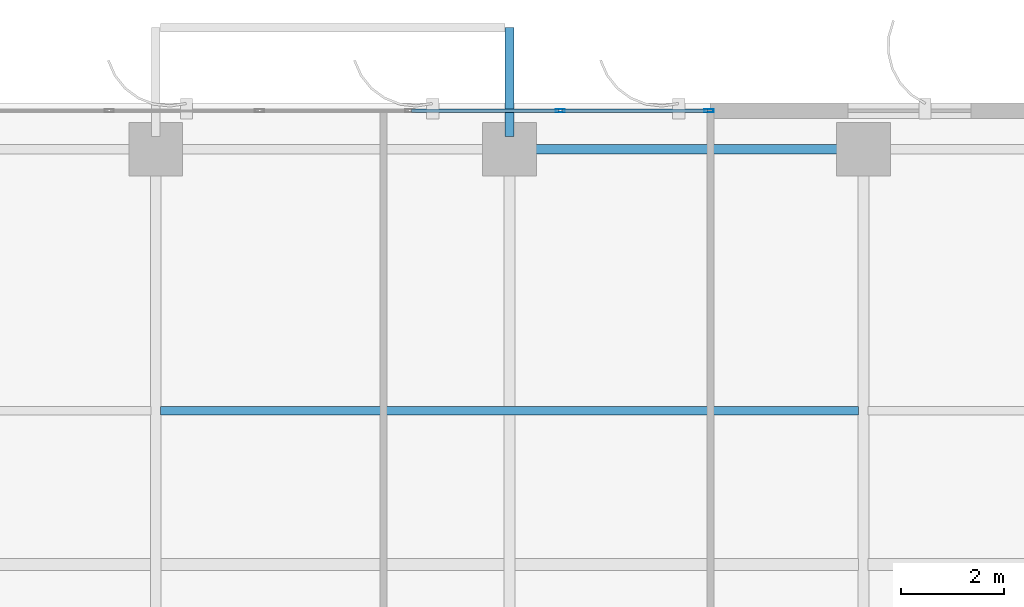
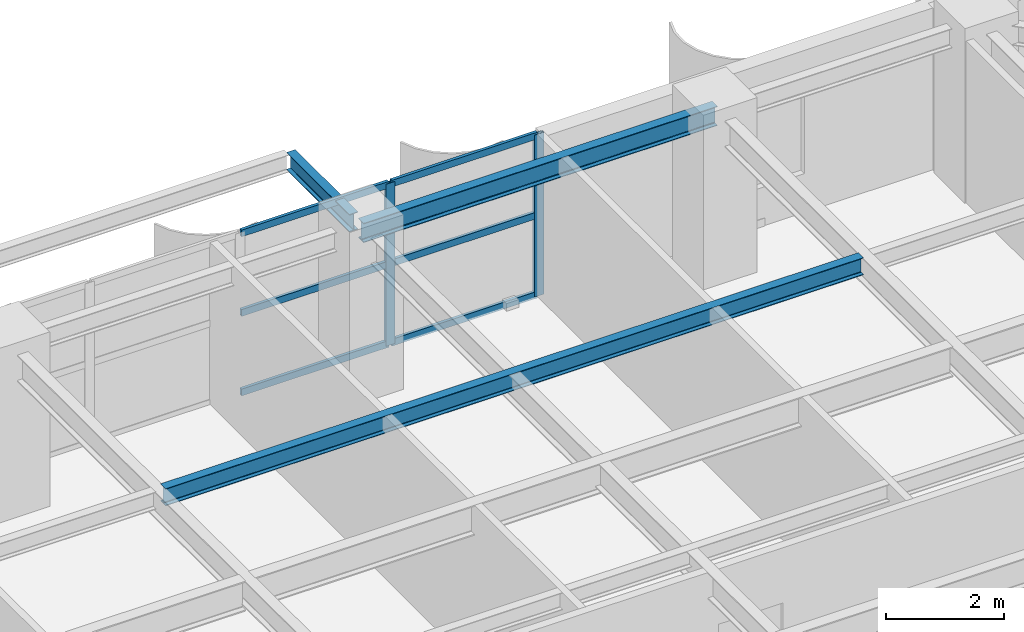
# One storey, part 16 of 27: 8 members, 3 beams, 1 element without a shape of its own.
"""IFC4 building model written with IfcOpenShell, lengths in metres."""

from ifc_helpers import new_model, si_unit, direction, frame, origin, origin_2d, place, context, subcontext, project, spatial, hollow_rectangle, i_section, extrude, source, transform, mapped, material, layer, layer_set, material_profile, profile_set, type_object, element, aggregate, save


model = new_model("IFC4")

# Units and contexts
model_context = context("Model", 3, precision=1e-05, world=origin(), true_north=direction((0.0, 1.0)))
body_context = subcontext(model_context, "Body", "Model", "MODEL_VIEW")
ifc_project = project(units=[si_unit("LENGTHUNIT", "METRE"), si_unit("AREAUNIT", "SQUARE_METRE"), si_unit("VOLUMEUNIT", "CUBIC_METRE"), si_unit("PLANEANGLEUNIT", "RADIAN"), si_unit("MASSUNIT", "GRAM", prefix="KILO")], contexts=[model_context])

# Site, building, storey
site_placement = place(None, origin())
site = spatial("IfcSite", under=ifc_project, at=site_placement, CompositionType="ELEMENT")
building_placement = place(site_placement, origin())
building = spatial("IfcBuilding", under=site, at=building_placement, Name="Khoralis Quay Care Tower", CompositionType="ELEMENT")
storey_placement = place(building_placement, frame((0.0, 0.0, 105.300048828125)))
storey = spatial("IfcBuildingStorey", under=building, at=storey_placement, Name="L27", CompositionType="ELEMENT", Elevation=105.300048828125)

# Beams
ifc_material_1 = material(Name="Steel S355", Category="steel")
ifc_material_profile_1 = material_profile(ifc_material_1, i_section(OverallWidth=0.179931640625, OverallDepth=0.39990234375, WebThickness=0.008544921875, FlangeThickness=0.013427734375, FilletRadius=0.02099609375, at=origin_2d()), Name="Steel S355")
ifc_profile_set_1 = profile_set([ifc_material_profile_1], Name="Steel S355")
beam_type_1 = type_object("IfcBeamType", Name="BM-IPE400", PredefinedType="SPANDREL", material=ifc_profile_set_1)
shared_shape_1 = source(origin(), body_context, "Body", "SweptSolid", [
    extrude(i_section(OverallWidth=0.179931640625, OverallDepth=0.39990234375, WebThickness=0.008544921875, FlangeThickness=0.013427734375, FilletRadius=0.02099609375, at=origin_2d()), origin(), (0.0, 0.0, 1.0), 6.89990234375),
])
beam_1_placement = place(storey_placement, frame((24.0, 44.10009765625, 3.139892578125), z_axis=(1.0, 0.0, 0.0), x_axis=(0.0, 1.0, 0.0)))
element("IfcBeam", 1, at=beam_1_placement, inside=storey, type_object=beam_type_1, Name="BM-TSP-L27-09", PredefinedType="SPANDREL", context=body_context, shape_type="MappedRepresentation", body=[
    mapped(shared_shape_1, transform((0.0, 0.0, 0.0), scale=1.0)),
])
ifc_material_profile_2 = material_profile(ifc_material_1, i_section(OverallWidth=0.1708984375, OverallDepth=0.35498046875, WebThickness=0.007080078125, FlangeThickness=0.01171875, FilletRadius=0.012939453125, at=origin_2d()), Name="Steel S355")
ifc_profile_set_2 = profile_set([ifc_material_profile_2], Name="Steel S355")
beam_type_2 = type_object("IfcBeamType", Name="BM-W360X51", PredefinedType="JOIST", material=ifc_profile_set_2)
shared_shape_2 = source(origin(), body_context, "Body", "SweptSolid", [
    extrude(i_section(OverallWidth=0.1708984375, OverallDepth=0.35498046875, WebThickness=0.007080078125, FlangeThickness=0.01171875, FilletRadius=0.012939453125, at=origin_2d()), origin(), (0.0, 0.0, 1.0), 13.61181640625),
])
beam_2_placement = place(storey_placement, frame((17.194091796875, 39.0, 3.162353515625), z_axis=(1.0, 0.0, 0.0), x_axis=(0.0, 1.0, 0.0)))
element("IfcBeam", 2, at=beam_2_placement, inside=storey, type_object=beam_type_2, Name="BM-TJS-L27-33", PredefinedType="JOIST", context=body_context, shape_type="MappedRepresentation", body=[
    mapped(shared_shape_2, transform((0.0, 0.0, 0.0), scale=1.0)),
])
ifc_material_profile_3 = material_profile(ifc_material_1, i_section(OverallWidth=0.169921875, OverallDepth=0.360107421875, WebThickness=0.008056640625, FlangeThickness=0.0126953125, FilletRadius=0.01806640625, at=origin_2d()), Name="Steel S355")
ifc_profile_set_3 = profile_set([ifc_material_profile_3], Name="Steel S355")
beam_type_3 = type_object("IfcBeamType", Name="BM-IPE360", PredefinedType="SPANDREL", material=ifc_profile_set_3)
shared_shape_3 = source(origin(), body_context, "Body", "SweptSolid", [
    extrude(i_section(OverallWidth=0.169921875, OverallDepth=0.360107421875, WebThickness=0.008056640625, FlangeThickness=0.0126953125, FilletRadius=0.01806640625, at=origin_2d()), origin(), (0.0, 0.0, 1.0), 2.119873046875),
])
beam_3_placement = place(storey_placement, frame((24.0, 44.35009765625, 3.1640625), z_axis=(0.0, 1.0, 0.0), x_axis=(-1.0, 0.0, 0.0)))
element("IfcBeam", 3, at=beam_3_placement, inside=storey, type_object=beam_type_3, Name="L28 Balcony Cantilever Outrigger Beam 2", PredefinedType="SPANDREL", context=body_context, shape_type="MappedRepresentation", body=[
    mapped(shared_shape_3, transform((0.0, 0.0, 0.0), scale=1.0)),
])

# Curtain wall, members
ifc_material_2 = material(Name="Pale anodised aluminium", Category="aluminium")
ifc_layer = layer(ifc_material_2, 0.169921875)
ifc_layer_set = layer_set([ifc_layer], Name="Pale anodised aluminium")
curtain_wall_type = type_object("IfcCurtainWallType", Name="CW-SYS-Z2", PredefinedType="NOTDEFINED", material=ifc_layer_set)
curtain_wall_placement = place(storey_placement, origin())
curtain_wall = element("IfcCurtainWall", 4, at=curtain_wall_placement, inside=storey, type_object=curtain_wall_type, Name="L27 Unitised Curtain Wall CW-L27-P1-E10", PredefinedType="NOTDEFINED")
ifc_material_profile_4 = material_profile(ifc_material_2, hollow_rectangle(XDim=0.06494140625, YDim=0.179931640625, WallThickness=0.00390625, at=origin_2d()), Name="Pale anodised aluminium")
ifc_profile_set_4 = profile_set([ifc_material_profile_4], Name="Pale anodised aluminium")
member_type_1 = type_object("IfcMemberType", Name="CW-MUL-180", PredefinedType="MULLION", material=ifc_profile_set_4)
shared_shape_4 = source(origin(), body_context, "Body", "SweptSolid", [
    extrude(hollow_rectangle(XDim=0.06494140625, YDim=0.179931640625, WallThickness=0.00390625, at=origin_2d()), origin(), (0.0, 0.0, 1.0), 3.33984375),
])
member_1_placement = place(storey_placement, frame((27.889892578125, 44.85009765625, 0.0), z_axis=(0.0, 0.0, 1.0), x_axis=(0.0, -1.0, 0.0)))
member_1 = element("IfcMember", 5, at=member_1_placement, type_object=member_type_1, Name="CW2 mullion 1", PredefinedType="MULLION", context=body_context, shape_type="MappedRepresentation", body=[
    mapped(shared_shape_4, transform((0.0, 0.0, 0.0), scale=1.0)),
])
member_2_placement = place(storey_placement, frame((24.988037109375, 44.85009765625, 0.0), z_axis=(0.0, 0.0, 1.0), x_axis=(0.0, -1.0, 0.0)))
member_2 = element("IfcMember", 6, at=member_2_placement, type_object=member_type_1, Name="CW2 mullion 2", PredefinedType="MULLION", context=body_context, shape_type="MappedRepresentation", body=[
    mapped(shared_shape_4, transform((0.0, 0.0, 0.0), scale=1.0)),
])
ifc_material_profile_5 = material_profile(ifc_material_2, hollow_rectangle(XDim=0.06005859375, YDim=0.139892578125, WallThickness=0.00390625, at=origin_2d()), Name="Pale anodised aluminium")
ifc_profile_set_5 = profile_set([ifc_material_profile_5], Name="Pale anodised aluminium")
member_type_2 = type_object("IfcMemberType", Name="CW-TRN-140", PredefinedType="USERDEFINED", material=ifc_profile_set_5)
shared_shape_5 = source(origin(), body_context, "Body", "SweptSolid", [
    extrude(hollow_rectangle(XDim=0.06005859375, YDim=0.139892578125, WallThickness=0.00390625, at=origin_2d()), origin(), (0.0, 0.0, 1.0), 2.842041015625),
])
member_3_placement = place(storey_placement, frame((27.860107421875, 44.85009765625, 0.030029296875), z_axis=(-1.0, 0.0, 0.0), x_axis=(0.0, -1.0, 0.0)))
member_3 = element("IfcMember", 7, at=member_3_placement, type_object=member_type_2, Name="CW2 transom 1.1", ObjectType="TRANSOM", PredefinedType="USERDEFINED", context=body_context, shape_type="MappedRepresentation", body=[
    mapped(shared_shape_5, transform((0.0, 0.0, 0.0), scale=1.0)),
])
member_4_placement = place(storey_placement, frame((27.860107421875, 44.85009765625, 1.669921875), z_axis=(-1.0, 0.0, 0.0), x_axis=(0.0, -1.0, 0.0)))
member_4 = element("IfcMember", 8, at=member_4_placement, type_object=member_type_2, Name="CW2 transom 1.2", ObjectType="TRANSOM", PredefinedType="USERDEFINED", context=body_context, shape_type="MappedRepresentation", body=[
    mapped(shared_shape_5, transform((0.0, 0.0, 0.0), scale=1.0)),
])
member_5_placement = place(storey_placement, frame((27.860107421875, 44.85009765625, 3.31005859375), z_axis=(-1.0, 0.0, 0.0), x_axis=(0.0, -1.0, 0.0)))
member_5 = element("IfcMember", 9, at=member_5_placement, type_object=member_type_2, Name="CW2 transom 1.3", ObjectType="TRANSOM", PredefinedType="USERDEFINED", context=body_context, shape_type="MappedRepresentation", body=[
    mapped(shared_shape_5, transform((0.0, 0.0, 0.0), scale=1.0)),
])
shared_shape_6 = source(origin(), body_context, "Body", "SweptSolid", [
    extrude(hollow_rectangle(XDim=0.06005859375, YDim=0.139892578125, WallThickness=0.00390625, at=origin_2d()), origin(), (0.0, 0.0, 1.0), 2.8720703125),
])
member_6_placement = place(storey_placement, frame((24.9580078125, 44.85009765625, 0.030029296875), z_axis=(-1.0, 0.0, 0.0), x_axis=(0.0, -1.0, 0.0)))
member_6 = element("IfcMember", 10, at=member_6_placement, type_object=member_type_2, Name="CW2 transom 2.1", ObjectType="TRANSOM", PredefinedType="USERDEFINED", context=body_context, shape_type="MappedRepresentation", body=[
    mapped(shared_shape_6, transform((0.0, 0.0, 0.0), scale=1.0)),
])
member_7_placement = place(storey_placement, frame((24.9580078125, 44.85009765625, 1.669921875), z_axis=(-1.0, 0.0, 0.0), x_axis=(0.0, -1.0, 0.0)))
member_7 = element("IfcMember", 11, at=member_7_placement, type_object=member_type_2, Name="CW2 transom 2.2", ObjectType="TRANSOM", PredefinedType="USERDEFINED", context=body_context, shape_type="MappedRepresentation", body=[
    mapped(shared_shape_6, transform((0.0, 0.0, 0.0), scale=1.0)),
])
member_8_placement = place(storey_placement, frame((24.9580078125, 44.85009765625, 3.31005859375), z_axis=(-1.0, 0.0, 0.0), x_axis=(0.0, -1.0, 0.0)))
member_8 = element("IfcMember", 12, at=member_8_placement, type_object=member_type_2, Name="CW2 transom 2.3", ObjectType="TRANSOM", PredefinedType="USERDEFINED", context=body_context, shape_type="MappedRepresentation", body=[
    mapped(shared_shape_6, transform((0.0, 0.0, 0.0), scale=1.0)),
])
aggregate(curtain_wall, [member_1, member_2, member_3, member_4, member_5, member_6, member_7, member_8])

save(model, "model.ifc")
